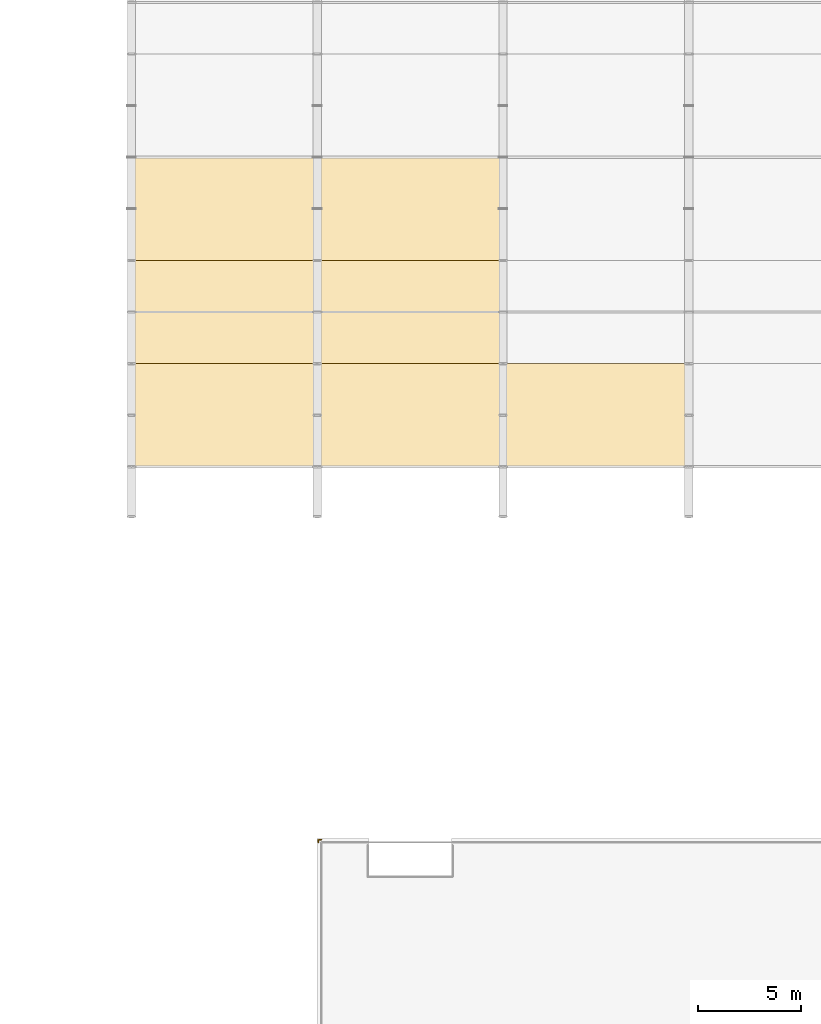
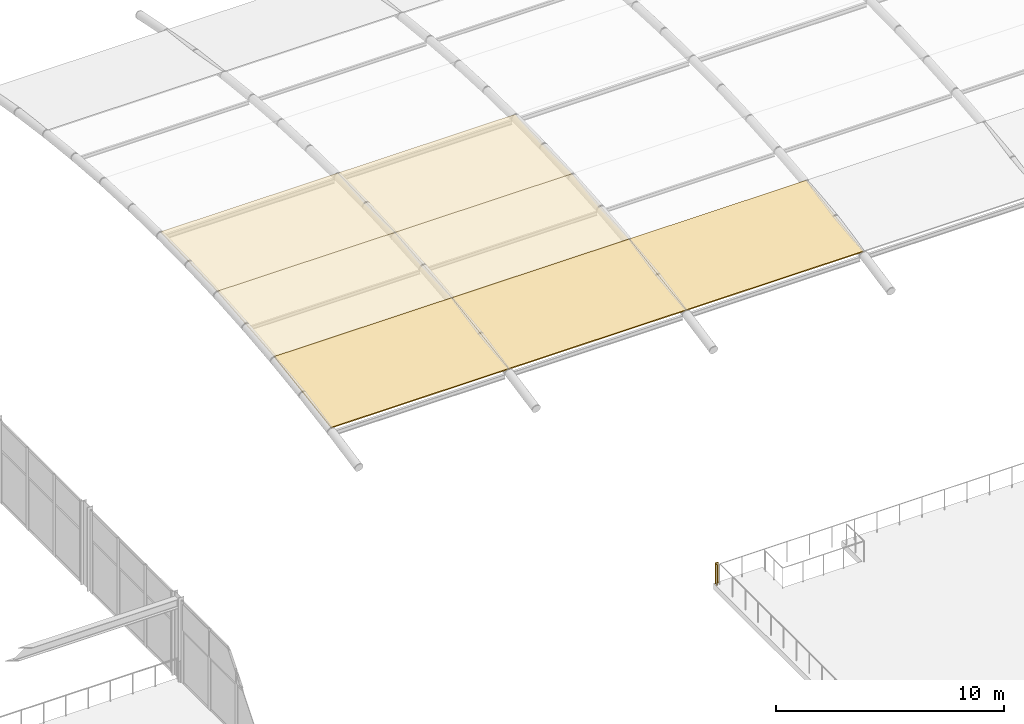
# One storey, part 99 of 105: 7 coverings, 1 railing.
"""IFC4 building model written with IfcOpenShell, lengths in metres."""

from ifc_helpers import new_model, si_unit, direction, frame, origin, origin_2d, place, context, subcontext, project, spatial, polyline, circle, outline, extrude, material, layer, layer_set, type_object, element, save


model = new_model("IFC4")

# Units and contexts
model_context = context("Model", 3, precision=1e-05, world=origin(), true_north=direction((0.0, 1.0)))
body_context = subcontext(model_context, "Body", "Model", "MODEL_VIEW")
ifc_project = project(units=[si_unit("LENGTHUNIT", "METRE"), si_unit("AREAUNIT", "SQUARE_METRE"), si_unit("VOLUMEUNIT", "CUBIC_METRE"), si_unit("PLANEANGLEUNIT", "RADIAN"), si_unit("MASSUNIT", "GRAM", prefix="KILO")], contexts=[model_context])

# Site, building, storey
site_placement = place(None, origin())
site = spatial("IfcSite", under=ifc_project, at=site_placement, CompositionType="ELEMENT")
building_placement = place(site_placement, origin())
building = spatial("IfcBuilding", under=site, at=building_placement, Name="Marlcrest Central Station", CompositionType="ELEMENT")
storey_placement = place(building_placement, frame((0.0, 0.0, 15.0)))
storey = spatial("IfcBuildingStorey", under=building, at=storey_placement, Name="L03", CompositionType="ELEMENT", Elevation=15.0)

# Coverings
ifc_material_1 = material(Name="Standing-seam marine-coated aluminium roofing", Category="aluminium")
ifc_layer_1 = layer(ifc_material_1, 0.06494140625, Name="CV-RF2")
ifc_layer_set_1 = layer_set([ifc_layer_1], Name="Standing-seam marine-coated aluminium roofing")
covering_type_1 = type_object("IfcCoveringType", Name="CV-RF2", PredefinedType="ROOFING", material=ifc_layer_set_1)
for number, where, z_axis, x_axis, name in (
    (1, (144.0, 51.0, 0.603759765625), (0.0, -0.153293462578, 0.98818070935), (1.0, 0.0, 0.0), "cov-shed-0121"),
    (2, (153.0, 51.0, 0.603759765625), (0.0, -0.153293462578, 0.98818070935), (1.0, 0.0, 0.0), "cov-shed-0135"),
    (3, (162.0, 51.0, 0.603759765625), (0.0, -0.153293462578, 0.98818070935), (1.0, 0.0, 0.0), "cov-shed-0149"),
):
    element("IfcCovering", number, at=place(storey_placement, frame(where, z_axis=z_axis, x_axis=x_axis)), inside=storey, type_object=covering_type_1, Name=name, PredefinedType="ROOFING", context=body_context, shape_type="SweptSolid", body=[
        extrude(outline(polyline([(0.0, 0.0), (9.0, 0.0), (9.0, 5.059803285666958), (0.0, 5.059803285666958), (0.0, 0.0)])), origin(), (0.0, 0.0, -1.0), 0.06494140625),
    ])
ifc_material_2 = material(Name="Translucent GRP barrel crown roof panel")
ifc_layer_2 = layer(ifc_material_2, 0.054931640625, Name="CV-SK1")
ifc_layer_set_2 = layer_set([ifc_layer_2], Name="Translucent GRP barrel crown roof panel")
covering_type_2 = type_object("IfcCoveringType", Name="CV-SK1", PredefinedType="ROOFING", material=ifc_layer_set_2)
covering_1_placement = place(storey_placement, frame((144.0, 56.0, 1.37939453125), z_axis=(0.0, -0.092714165239, 0.995692765648), x_axis=(1.0, 0.0, 0.0)))
element("IfcCovering", 4, at=covering_1_placement, inside=storey, type_object=covering_type_2, Name="cov-shed-0122", PredefinedType="ROOFING", context=body_context, shape_type="SweptSolid", body=[
    extrude(outline(polyline([(0.0, 0.0), (9.0, 0.0), (9.0, 5.0216293343712435), (0.0, 5.0216293343712435), (0.0, 0.0)])), origin(), (0.0, 0.0, -1.0), 0.054931640625),
])
covering_2_placement = place(storey_placement, frame((144.0, 61.0, 1.844970703125), z_axis=(0.0, -0.030990966165, 0.999519664647), x_axis=(1.0, 0.0, 0.0)))
element("IfcCovering", 5, at=covering_2_placement, inside=storey, type_object=covering_type_2, Name="cov-shed-0123", PredefinedType="ROOFING", context=body_context, shape_type="SweptSolid", body=[
    extrude(outline(polyline([(0.0, 0.0), (9.0, 0.0), (9.0, 5.0024028309293085), (0.0, 5.0024028309293085), (0.0, 0.0)])), origin(), (0.0, 0.0, -1.0), 0.054931640625),
])
covering_3_placement = place(storey_placement, frame((153.0, 56.0, 1.37939453125), z_axis=(0.0, -0.092714165239, 0.995692765648), x_axis=(1.0, 0.0, 0.0)))
element("IfcCovering", 6, at=covering_3_placement, inside=storey, type_object=covering_type_2, Name="cov-shed-0136", PredefinedType="ROOFING", context=body_context, shape_type="SweptSolid", body=[
    extrude(outline(polyline([(0.0, 0.0), (9.0, 0.0), (9.0, 5.0216293343712435), (0.0, 5.0216293343712435), (0.0, 0.0)])), origin(), (0.0, 0.0, -1.0), 0.054931640625),
])
covering_4_placement = place(storey_placement, frame((153.0, 61.0, 1.844970703125), z_axis=(0.0, -0.030990966165, 0.999519664647), x_axis=(1.0, 0.0, 0.0)))
element("IfcCovering", 7, at=covering_4_placement, inside=storey, type_object=covering_type_2, Name="cov-shed-0137", PredefinedType="ROOFING", context=body_context, shape_type="SweptSolid", body=[
    extrude(outline(polyline([(0.0, 0.0), (9.0, 0.0), (9.0, 5.0024028309293085), (0.0, 5.0024028309293085), (0.0, 0.0)])), origin(), (0.0, 0.0, -1.0), 0.054931640625),
])

# Railing
ifc_material_3 = material(Name="Galvanized painted steel balustrade", Category="steel")
railing_type = type_object("IfcRailingType", Name="GR-01", PredefinedType="GUARDRAIL", material=ifc_material_3)
railing_placement = place(storey_placement, frame((153.06005859375, 32.800048828125, 0.0)))
element("IfcRailing", 8, at=railing_placement, inside=storey, type_object=railing_type, Name="hr-L03-00357", PredefinedType="GUARDRAIL", context=body_context, shape_type="SweptSolid", body=[
    extrude(circle(Radius=0.02392578125, at=origin_2d()), frame((0.0, 0.0, 1.09619140625), z_axis=(0.0, 1.0, 0.0), x_axis=(-1.0, 0.0, 0.0)), (0.0, 0.0, 1.0), 0.139892578125),
    extrude(circle(Radius=0.02392578125, at=origin_2d()), frame((0.0, 0.139892578125, 1.09619140625), z_axis=(1.0, 0.0, 0.0), x_axis=(0.0, 1.0, 0.0)), (0.0, 0.0, 1.0), 0.139892578125),
    extrude(circle(Radius=0.02099609375, at=origin_2d()), origin(), (0.0, 0.0, 1.0), 1.072021484375),
    extrude(circle(Radius=0.02099609375, at=origin_2d()), frame((0.0, 0.139892578125, 0.0)), (0.0, 0.0, 1.0), 1.072021484375),
    extrude(circle(Radius=0.02099609375, at=origin_2d()), frame((0.139892578125, 0.139892578125, 0.0)), (0.0, 0.0, 1.0), 1.072021484375),
])

save(model, "model.ifc")
